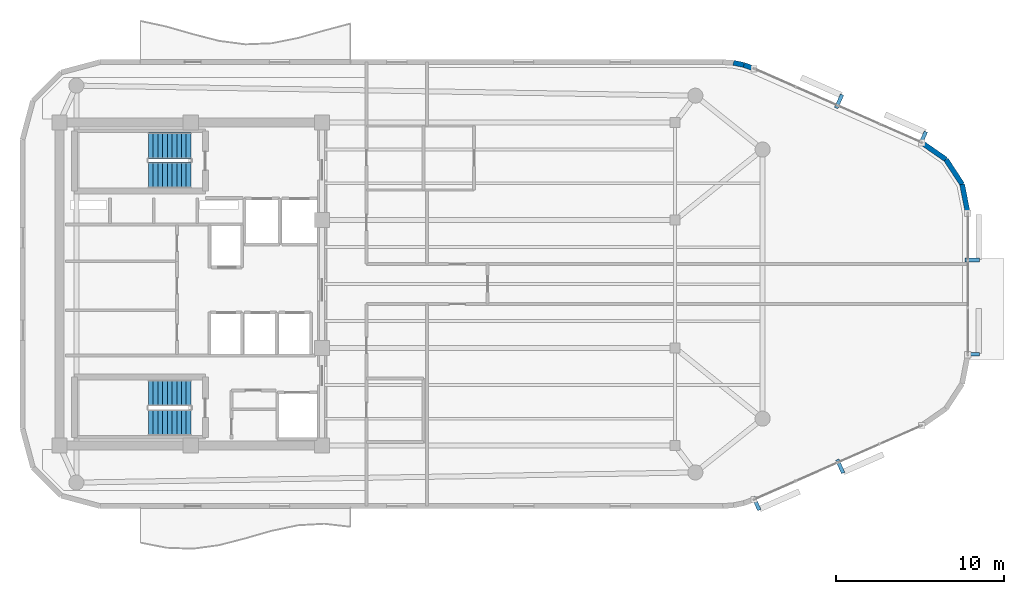
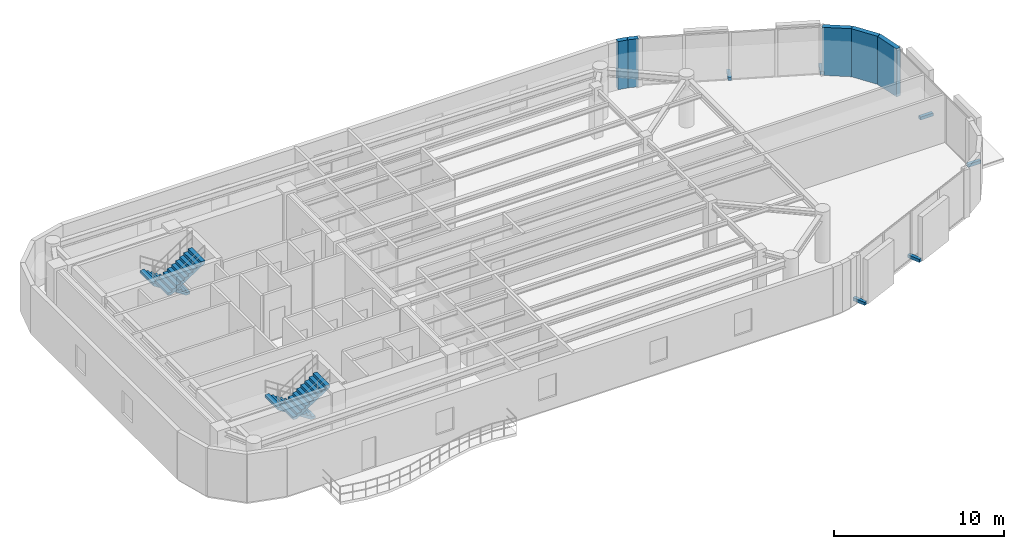
# One storey, part 10 of 12: 6 discrete accessories, 5 walls, 4 stair flights, 2 elements without a shape of their own.
"""IFC4 building model written with IfcOpenShell, lengths in metres."""

from ifc_helpers import new_model, si_unit, direction, frame, frame_2d, origin, origin_2d, place, context, subcontext, project, spatial, polyline, rectangle, outline, extrude, material, layer, layer_set, type_object, element, aggregate, save


model = new_model("IFC4")

# Units and contexts
model_context = context("Model", 3, precision=1e-05, world=origin(), true_north=direction((0.0, 1.0)))
body_context = subcontext(model_context, "Body", "Model", "MODEL_VIEW")
ifc_project = project(units=[si_unit("LENGTHUNIT", "METRE"), si_unit("AREAUNIT", "SQUARE_METRE"), si_unit("VOLUMEUNIT", "CUBIC_METRE"), si_unit("PLANEANGLEUNIT", "RADIAN"), si_unit("MASSUNIT", "GRAM", prefix="KILO")], contexts=[model_context])

# Site, building, storey
site_placement = place(None, origin())
site = spatial("IfcSite", under=ifc_project, at=site_placement, CompositionType="ELEMENT")
building_placement = place(site_placement, origin())
building = spatial("IfcBuilding", under=site, at=building_placement, Name="An Khanh Terracotta Commons", CompositionType="ELEMENT")
storey_placement = place(building_placement, frame((0.0, 0.0, 269.75)))
storey = spatial("IfcBuildingStorey", under=building, at=storey_placement, Name="L70", CompositionType="ELEMENT", Elevation=269.75)

# Walls
ifc_material_1 = material(Name="Precast concrete C40/50", Category="concrete")
ifc_layer = layer(ifc_material_1, 0.300048828125, Name="Precast concrete C40/50")
ifc_layer_set = layer_set([ifc_layer], Name="Precast concrete C40/50")
wall_type = type_object("IfcWallType", Name="WALL-EXT-300", PredefinedType="SOLIDWALL", material=ifc_layer_set)
for number, where, z_axis, x_axis, name in (
    (1, (75.60009765625, 28.201904296875, 0.0), (0.0, 0.0, 1.0), (-0.1915005851, 0.981492499159, 0.0), "L70 Insulated Terracotta Exterior Wall 13"),
    (2, (75.262939453125, 29.929931640625, 0.0), (0.0, 0.0, 1.0), (-0.545836224831, 0.837891887813, 0.0), "L70 Insulated Terracotta Exterior Wall 14"),
):
    element("IfcWall", number, at=place(storey_placement, frame(where, z_axis=z_axis, x_axis=x_axis)), inside=storey, type_object=wall_type, Name=name, PredefinedType="SOLIDWALL", context=body_context, shape_type="SweptSolid", body=[
        extrude(rectangle(XDim=1.760498046875, YDim=0.300048828125, at=frame_2d((0.88037109375, 0.0))), origin(), (0.0, 0.0, 1.0), 3.449951171875),
    ])
wall_1_placement = place(storey_placement, frame((74.302001953125, 31.405029296875, 0.0), z_axis=(0.0, 0.0, 1.0), x_axis=(-0.821006966142, 0.570918174124, 0.0)))
element("IfcWall", 3, at=wall_1_placement, inside=storey, type_object=wall_type, Name="L70 Insulated Terracotta Exterior Wall 15", PredefinedType="SOLIDWALL", context=body_context, shape_type="SweptSolid", body=[
    extrude(rectangle(XDim=1.760009765625, YDim=0.300048828125, at=frame_2d((0.8798828125, 0.0))), origin(), (0.0, 0.0, 1.0), 3.449951171875),
])
wall_2_placement = place(storey_placement, frame((62.886962890625, 36.80908203125, 0.0), z_axis=(0.0, 0.0, 1.0), x_axis=(-0.94077491148, 0.339031806665, 0.0)))
element("IfcWall", 4, at=wall_2_placement, inside=storey, type_object=wall_type, Name="L70 Insulated Terracotta Exterior Wall 17", PredefinedType="SOLIDWALL", context=body_context, shape_type="SweptSolid", body=[
    extrude(rectangle(XDim=0.636474609375, YDim=0.300048828125, at=frame_2d((0.318359375, 0.0))), origin(), (0.0, 0.0, 1.0), 3.449951171875),
])
wall_3_placement = place(storey_placement, frame((62.2880859375, 37.02490234375, 0.0), z_axis=(0.0, 0.0, 1.0), x_axis=(-0.97857012251, 0.205913854149, 0.0)))
element("IfcWall", 5, at=wall_3_placement, inside=storey, type_object=wall_type, Name="L70 Insulated Terracotta Exterior Wall 18", PredefinedType="SOLIDWALL", context=body_context, shape_type="SweptSolid", body=[
    extrude(rectangle(XDim=0.63671875, YDim=0.300048828125, at=frame_2d((0.318359375, 0.0))), origin(), (0.0, 0.0, 1.0), 3.449951171875),
])

# Stair, stair flights
stair_type = type_object("IfcStairType", Name="STAIR-CORE-1550", PredefinedType="HALF_TURN_STAIR", material=ifc_material_1)
stair_1_placement = place(storey_placement, origin())
stair_1 = element("IfcStair", 6, at=stair_1_placement, inside=storey, type_object=stair_type, Name="L70 Core Smokeproof Exit Stair ST-01", PredefinedType="HALF_TURN_STAIR")
stair_flight_type = type_object("IfcStairFlightType", Name="FLIGHT-CORE-1550", PredefinedType="STRAIGHT", material=ifc_material_1)
stair_flight_1_placement = place(storey_placement, frame((29.409912109375, 32.22509765625, 0.0), z_axis=(0.0, 0.0, 1.0), x_axis=(-1.0, 0.0, 0.0)))
stair_flight_1 = element("IfcStairFlight", 7, at=stair_flight_1_placement, type_object=stair_flight_type, Name="ST-01 flight 1", NumberOfRisers=10, NumberOfTreads=9, PredefinedType="STRAIGHT", RiserHeight=0.1825, TreadLength=0.28, context=body_context, shape_type="SweptSolid", body=[
    extrude(outline(polyline([(0.0, 0.0), (0.0, 0.1826171875), (0.280029296875, 0.1826171875), (0.280029296875, 0.364990234375), (0.56005859375, 0.364990234375), (0.56005859375, 0.547607421875), (0.840087890625, 0.547607421875), (0.840087890625, 0.72998046875), (1.1201171875, 0.72998046875), (1.1201171875, 0.91259765625), (1.39990234375, 0.91259765625), (1.39990234375, 1.094970703125), (1.679931640625, 1.094970703125), (1.679931640625, 1.277587890625), (1.9599609375, 1.277587890625), (1.9599609375, 1.4599609375), (2.239990234375, 1.4599609375), (2.239990234375, 1.642578125), (2.52001953125, 1.642578125), (2.52001953125, 1.824951171875), (2.52001953125, 1.463623046875), (0.2744140625, 0.0), (0.0, 0.0)])), frame((0.0, 0.77490234375, 0.0), z_axis=(0.0, -1.0, 0.0), x_axis=(1.0, 0.0, 0.0)), (0.0, 0.0, 1.0), 1.550048828125),
])
stair_flight_2_placement = place(storey_placement, frame((26.889892578125, 30.47509765625, 1.824951171875), z_axis=(0.0, 0.0, 1.0), x_axis=(1.0, 0.0, 0.0)))
stair_flight_2 = element("IfcStairFlight", 8, at=stair_flight_2_placement, type_object=stair_flight_type, Name="ST-01 flight 2", NumberOfRisers=10, NumberOfTreads=9, PredefinedType="STRAIGHT", RiserHeight=0.1825, TreadLength=0.28, context=body_context, shape_type="SweptSolid", body=[
    extrude(outline(polyline([(0.0, 0.0), (0.0, 0.1826171875), (0.280029296875, 0.1826171875), (0.280029296875, 0.364990234375), (0.56005859375, 0.364990234375), (0.56005859375, 0.547607421875), (0.840087890625, 0.547607421875), (0.840087890625, 0.72998046875), (1.1201171875, 0.72998046875), (1.1201171875, 0.91259765625), (1.39990234375, 0.91259765625), (1.39990234375, 1.094970703125), (1.679931640625, 1.094970703125), (1.679931640625, 1.277587890625), (1.9599609375, 1.277587890625), (1.9599609375, 1.4599609375), (2.239990234375, 1.4599609375), (2.239990234375, 1.642578125), (2.52001953125, 1.642578125), (2.52001953125, 1.824951171875), (2.52001953125, 1.463623046875), (0.2744140625, 0.0), (0.0, 0.0)])), frame((0.0, 0.77490234375, 0.0), z_axis=(0.0, -1.0, 0.0), x_axis=(1.0, 0.0, 0.0)), (0.0, 0.0, 1.0), 1.550048828125),
])
aggregate(stair_1, [stair_flight_1, stair_flight_2])

stair_2_placement = place(storey_placement, origin())
stair_2 = element("IfcStair", 9, at=stair_2_placement, inside=storey, type_object=stair_type, Name="L70 Core Smokeproof Exit Stair ST-02", PredefinedType="HALF_TURN_STAIR")
stair_flight_3_placement = place(storey_placement, frame((29.409912109375, 17.52490234375, 0.0), z_axis=(0.0, 0.0, 1.0), x_axis=(-1.0, 0.0, 0.0)))
stair_flight_3 = element("IfcStairFlight", 10, at=stair_flight_3_placement, type_object=stair_flight_type, Name="ST-02 flight 1", NumberOfRisers=10, NumberOfTreads=9, PredefinedType="STRAIGHT", RiserHeight=0.1825, TreadLength=0.28, context=body_context, shape_type="SweptSolid", body=[
    extrude(outline(polyline([(0.0, 0.0), (0.0, 0.1826171875), (0.280029296875, 0.1826171875), (0.280029296875, 0.364990234375), (0.56005859375, 0.364990234375), (0.56005859375, 0.547607421875), (0.840087890625, 0.547607421875), (0.840087890625, 0.72998046875), (1.1201171875, 0.72998046875), (1.1201171875, 0.91259765625), (1.39990234375, 0.91259765625), (1.39990234375, 1.094970703125), (1.679931640625, 1.094970703125), (1.679931640625, 1.277587890625), (1.9599609375, 1.277587890625), (1.9599609375, 1.4599609375), (2.239990234375, 1.4599609375), (2.239990234375, 1.642578125), (2.52001953125, 1.642578125), (2.52001953125, 1.824951171875), (2.52001953125, 1.463623046875), (0.2744140625, 0.0), (0.0, 0.0)])), frame((0.0, 0.77490234375, 0.0), z_axis=(0.0, -1.0, 0.0), x_axis=(1.0, 0.0, 0.0)), (0.0, 0.0, 1.0), 1.550048828125),
])
stair_flight_4_placement = place(storey_placement, frame((26.889892578125, 15.77490234375, 1.824951171875), z_axis=(0.0, 0.0, 1.0), x_axis=(1.0, 0.0, 0.0)))
stair_flight_4 = element("IfcStairFlight", 11, at=stair_flight_4_placement, type_object=stair_flight_type, Name="ST-02 flight 2", NumberOfRisers=10, NumberOfTreads=9, PredefinedType="STRAIGHT", RiserHeight=0.1825, TreadLength=0.28, context=body_context, shape_type="SweptSolid", body=[
    extrude(outline(polyline([(0.0, 0.0), (0.0, 0.1826171875), (0.280029296875, 0.1826171875), (0.280029296875, 0.364990234375), (0.56005859375, 0.364990234375), (0.56005859375, 0.547607421875), (0.840087890625, 0.547607421875), (0.840087890625, 0.72998046875), (1.1201171875, 0.72998046875), (1.1201171875, 0.91259765625), (1.39990234375, 0.91259765625), (1.39990234375, 1.094970703125), (1.679931640625, 1.094970703125), (1.679931640625, 1.277587890625), (1.9599609375, 1.277587890625), (1.9599609375, 1.4599609375), (2.239990234375, 1.4599609375), (2.239990234375, 1.642578125), (2.52001953125, 1.642578125), (2.52001953125, 1.824951171875), (2.52001953125, 1.463623046875), (0.2744140625, 0.0), (0.0, 0.0)])), frame((0.0, 0.77490234375, 0.0), z_axis=(0.0, -1.0, 0.0), x_axis=(1.0, 0.0, 0.0)), (0.0, 0.0, 1.0), 1.550048828125),
])
aggregate(stair_2, [stair_flight_3, stair_flight_4])

# Discrete accessories
ifc_material_2 = material(Name="Stainless Steel Grade 316L", Category="steel")
discrete_accessory_type = type_object("IfcDiscreteAccessoryType", Name="Stainless Outrigger Facade Bracket", PredefinedType="BRACKET", material=ifc_material_2)
for number, where, z_axis, x_axis, name in (
    (12, (63.02587890625, 10.962890625, 0.06982421875), (0.0, 0.0, 1.0), (0.914901853201, 0.403676354285, 0.0), "L70 Terracotta Screen Outrigger Bracket 1"),
    (13, (68.010986328125, 13.162109375, 0.06982421875), (0.0, 0.0, 1.0), (0.914901853201, 0.403676354285, 0.0), "L70 Terracotta Screen Outrigger Bracket 3"),
    (14, (75.864990234375, 19.8330078125, 0.06982421875), (0.0, 0.0, 1.0), (0.0, 1.0, 0.0), "L70 Terracotta Screen Outrigger Bracket 1"),
    (15, (75.864990234375, 25.43603515625, 0.06982421875), (0.0, 0.0, 1.0), (0.0, 1.0, 0.0), "L70 Terracotta Screen Outrigger Bracket 3"),
    (16, (72.931884765625, 32.6669921875, 0.06982421875), (0.0, 0.0, 1.0), (-0.914901853201, 0.403676354285, 0.0), "L70 Terracotta Screen Outrigger Bracket 1"),
    (17, (67.947021484375, 34.865966796875, 0.06982421875), (0.0, 0.0, 1.0), (-0.914901853201, 0.403676354285, 0.0), "L70 Terracotta Screen Outrigger Bracket 3"),
):
    element("IfcDiscreteAccessory", number, at=place(storey_placement, frame(where, z_axis=z_axis, x_axis=x_axis)), inside=storey, type_object=discrete_accessory_type, Name=name, PredefinedType="BRACKET", context=body_context, shape_type="SweptSolid", body=[
        extrude(rectangle(XDim=0.219970703125, YDim=0.8701171875, at=origin_2d()), origin(), (0.0, 0.0, 1.0), 0.219970703125),
    ])

save(model, "model.ifc")
